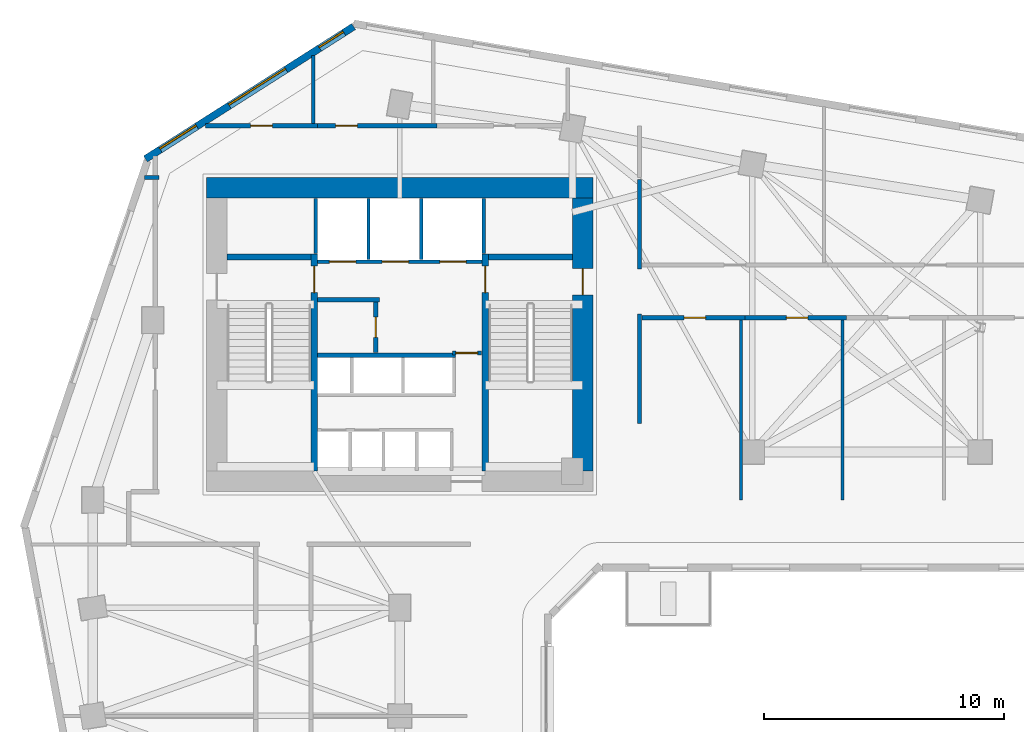
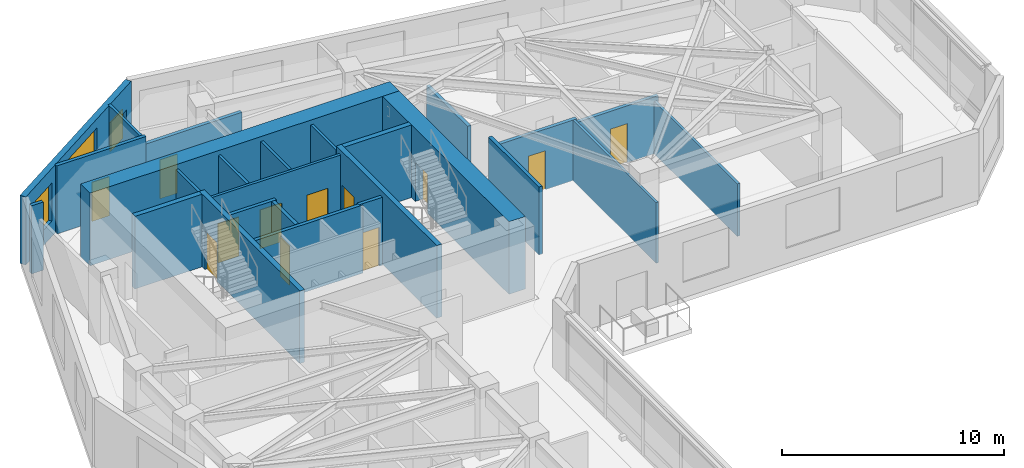
# One storey, part 6 of 10: 26 walls, 12 doors, 3 windows, 15 openings.
"""IFC4 building model written with IfcOpenShell, lengths in metres."""

from ifc_helpers import new_model, si_unit, direction, frame, frame_2d, origin, place, context, subcontext, project, spatial, rectangle, extrude, source, transform, mapped, material, layer, layer_set, type_object, element, fill, save


model = new_model("IFC4")

# Units and contexts
model_context = context("Model", 3, precision=1e-05, world=origin(), true_north=direction((0.0, 1.0)))
body_context = subcontext(model_context, "Body", "Model", "MODEL_VIEW")
ifc_project = project(units=[si_unit("LENGTHUNIT", "METRE"), si_unit("AREAUNIT", "SQUARE_METRE"), si_unit("VOLUMEUNIT", "CUBIC_METRE"), si_unit("PLANEANGLEUNIT", "RADIAN"), si_unit("MASSUNIT", "GRAM", prefix="KILO")], contexts=[model_context])

# Site, building, storey
site_placement = place(None, origin())
site = spatial("IfcSite", under=ifc_project, at=site_placement, CompositionType="ELEMENT")
building_placement = place(site_placement, origin())
building = spatial("IfcBuilding", under=site, at=building_placement, Name="Calvemar Wedge Station Tower", CompositionType="ELEMENT")
storey_placement = place(building_placement, frame((0.0, 0.0, 87.0)))
storey = spatial("IfcBuildingStorey", under=building, at=storey_placement, Name="L21", CompositionType="ELEMENT", Elevation=87.0)

# Wall, opening, door
ifc_material_1 = material(Name="Concrete C50", Category="concrete")
ifc_layer_1 = layer(ifc_material_1, 0.260009765625)
ifc_layer_set_1 = layer_set([ifc_layer_1], Name="Concrete C50")
wall_type_1 = type_object("IfcWallType", Name="SW-CORE-260", PredefinedType="SHEAR", material=ifc_layer_set_1)
wall_1_placement = place(storey_placement, frame((20.22998046875, 34.199951171875, 0.0), z_axis=(0.0, 0.0, 1.0), x_axis=(0.0, 1.0, 0.0)))
wall_1 = element("IfcWall", 1, at=wall_1_placement, inside=storey, type_object=wall_type_1, Name="Storey L21 Core Shear Wall SPINE-W", PredefinedType="SHEAR", context=body_context, shape_type="SweptSolid", body=[
    extrude(rectangle(XDim=9.06005859375, YDim=0.260009765625, at=frame_2d((4.530029296875, 0.0))), origin(), (0.0, 0.0, 1.0), 4.0),
])
shared_shape_1 = source(origin(), body_context, "Body", "SweptSolid", [
    extrude(rectangle(XDim=1.10009765625, YDim=2.14990234375, at=frame_2d((0.550048828125, 1.074951171875))), frame((0.0, 0.14013671875, 0.0), z_axis=(0.0, -1.0, 0.0), x_axis=(1.0, 0.0, 0.0)), (0.0, 0.0, 1.0), 0.280029296875),
])
opening_1_placement = place(wall_1_placement, frame((7.449951171875, 0.0, 0.0)))
opening_1 = element("IfcOpeningElement", 2, at=opening_1_placement, cuts=wall_1, Name="Opening FD-90", PredefinedType="OPENING", context=body_context, shape_type="MappedRepresentation", body=[
    mapped(shared_shape_1, transform((0.0, 0.0, 0.0), scale=1.0)),
])
ifc_material_2 = material(Name="Galvanized fire-rated steel door leaf P-90", Category="steel")
door_type_1 = type_object("IfcDoorType", Name="DR-FD90-1100", OperationType="NOTDEFINED", PredefinedType="DOOR", material=ifc_material_2)
shared_shape_2 = source(origin(), body_context, "Body", "SweptSolid", [
    extrude(rectangle(XDim=1.10009765625, YDim=2.14990234375, at=frame_2d((0.550048828125, 1.074951171875))), frame((0.0, 0.02490234375, 0.0), z_axis=(0.0, -1.0, 0.0), x_axis=(1.0, 0.0, 0.0)), (0.0, 0.0, 1.0), 0.050048828125),
])
door_1_placement = place(opening_1_placement, origin())
door_1 = element("IfcDoor", 3, at=door_1_placement, inside=storey, type_object=door_type_1, Name="L21 FF Lobby to Stair ST-C1 Door", OperationType="SINGLE_SWING_LEFT", OverallHeight=2.14990234375, OverallWidth=1.10009765625, PredefinedType="DOOR", context=body_context, shape_type="MappedRepresentation", body=[
    mapped(shared_shape_2, transform((0.0, 0.0, 0.0), scale=1.0)),
])
fill(opening_1, door_1)

wall_2_placement = place(storey_placement, frame((27.3701171875, 34.199951171875, 0.0), z_axis=(0.0, 0.0, 1.0), x_axis=(0.0, 1.0, 0.0)))
wall_2 = element("IfcWall", 4, at=wall_2_placement, inside=storey, type_object=wall_type_1, Name="Storey L21 Core Shear Wall SPINE-E", PredefinedType="SHEAR", context=body_context, shape_type="SweptSolid", body=[
    extrude(rectangle(XDim=9.06005859375, YDim=0.260009765625, at=frame_2d((4.530029296875, 0.0))), origin(), (0.0, 0.0, 1.0), 4.0),
])
opening_2_placement = place(wall_2_placement, frame((7.449951171875, 0.0, 0.0)))
opening_2 = element("IfcOpeningElement", 5, at=opening_2_placement, cuts=wall_2, Name="Opening FD-90", PredefinedType="OPENING", context=body_context, shape_type="MappedRepresentation", body=[
    mapped(shared_shape_1, transform((0.0, 0.0, 0.0), scale=1.0)),
])
door_2_placement = place(opening_2_placement, origin())
door_2 = element("IfcDoor", 6, at=door_2_placement, inside=storey, type_object=door_type_1, Name="L21 FF Lobby to Stair ST-C2 Door", OperationType="SINGLE_SWING_RIGHT", OverallHeight=2.14990234375, OverallWidth=1.10009765625, PredefinedType="DOOR", context=body_context, shape_type="MappedRepresentation", body=[
    mapped(shared_shape_2, transform((0.0, 0.0, 0.0), scale=1.0)),
])
fill(opening_2, door_2)

# Walls
for number, where, z_axis, x_axis, name in (
    (7, (16.60009765625, 43.1298828125, 0.0), (0.0, 0.0, 1.0), (1.0, 0.0, 0.0), "Storey L21 Core Shear Wall STC1-N"),
    (8, (27.5, 43.1298828125, 0.0), (0.0, 0.0, 1.0), (1.0, 0.0, 0.0), "Storey L21 Core Shear Wall STC2-N"),
):
    element("IfcWall", number, at=place(storey_placement, frame(where, z_axis=z_axis, x_axis=x_axis)), inside=storey, type_object=wall_type_1, Name=name, PredefinedType="SHEAR", context=body_context, shape_type="SweptSolid", body=[
        extrude(rectangle(XDim=3.5, YDim=0.260009765625, at=frame_2d((1.75, 0.0))), origin(), (0.0, 0.0, 1.0), 4.0),
    ])
ifc_material_3 = material(Name="Concrete C80", Category="concrete")
ifc_layer_2 = layer(ifc_material_3, 0.85009765625)
ifc_layer_set_2 = layer_set([ifc_layer_2], Name="Concrete C80")
wall_type_2 = type_object("IfcWallType", Name="SW-CORE-850", PredefinedType="SHEAR", material=ifc_layer_set_2)
wall_3_placement = place(storey_placement, frame((15.75, 46.02490234375, 0.0), z_axis=(0.0, 0.0, 1.0), x_axis=(1.0, 0.0, 0.0)))
element("IfcWall", 9, at=wall_3_placement, inside=storey, type_object=wall_type_2, Name="Storey L21 Core Shear Wall N", PredefinedType="SHEAR", context=body_context, shape_type="SweptSolid", body=[
    extrude(rectangle(XDim=16.10009765625, YDim=0.85009765625, at=frame_2d((8.050048828125, 0.0))), origin(), (0.0, 0.0, 1.0), 4.0),
])

# Wall, opening, door
wall_4_placement = place(storey_placement, frame((31.425048828125, 34.199951171875, 0.0), z_axis=(0.0, 0.0, 1.0), x_axis=(0.0, 1.0, 0.0)))
wall_4 = element("IfcWall", 10, at=wall_4_placement, inside=storey, type_object=wall_type_2, Name="Storey L21 Core Shear Wall E", PredefinedType="SHEAR", context=body_context, shape_type="SweptSolid", body=[
    extrude(rectangle(XDim=11.400146484375, YDim=0.85009765625, at=frame_2d((5.7001953125, 0.0))), origin(), (0.0, 0.0, 1.0), 4.0),
])
shared_shape_3 = source(origin(), body_context, "Body", "SweptSolid", [
    extrude(rectangle(XDim=1.10009765625, YDim=2.14990234375, at=frame_2d((0.550048828125, 1.074951171875))), frame((0.0, 0.43505859375, 0.0), z_axis=(0.0, -1.0, 0.0), x_axis=(1.0, 0.0, 0.0)), (0.0, 0.0, 1.0), 0.8701171875),
])
opening_3_placement = place(wall_4_placement, frame((7.35009765625, 0.0, 0.0)))
opening_3 = element("IfcOpeningElement", 11, at=opening_3_placement, cuts=wall_4, Name="Opening FD-90", PredefinedType="OPENING", context=body_context, shape_type="MappedRepresentation", body=[
    mapped(shared_shape_3, transform((0.0, 0.0, 0.0), scale=1.0)),
])
door_3_placement = place(opening_3_placement, origin())
door_3 = element("IfcDoor", 12, at=door_3_placement, inside=storey, type_object=door_type_1, Name="L21 East Corridor to Exit Stair ST-C2 Door", OperationType="SINGLE_SWING_RIGHT", OverallHeight=2.14990234375, OverallWidth=1.10009765625, PredefinedType="DOOR", context=body_context, shape_type="MappedRepresentation", body=[
    mapped(shared_shape_2, transform((0.0, 0.0, 0.0), scale=1.0)),
])
fill(opening_3, door_3)

# Wall
ifc_material_4 = material(Name="Double-stud fire-rated corridor partition")
ifc_layer_3 = layer(ifc_material_4, 0.179931640625)
ifc_layer_set_3 = layer_set([ifc_layer_3], Name="Double-stud fire-rated corridor partition")
wall_type_3 = type_object("IfcWallType", Name="W-CORR-180", PredefinedType="PARTITIONING", material=ifc_layer_set_3)
wall_5_placement = place(storey_placement, frame((22.9599609375, 41.35009765625, 0.0), z_axis=(0.0, 0.0, 1.0), x_axis=(-1.0, 0.0, 0.0)))
element("IfcWall", 13, at=wall_5_placement, inside=storey, type_object=wall_type_3, Name="Storey L21 Interior Partition WL-L21-001", PredefinedType="PARTITIONING", context=body_context, shape_type="SweptSolid", body=[
    extrude(rectangle(XDim=2.580078125, YDim=0.179931640625, at=frame_2d((1.2900390625, 0.0))), origin(), (0.0, 0.0, 1.0), 3.75),
])

# Wall, opening, door
wall_6_placement = place(storey_placement, frame((22.800048828125, 41.256103515625, 0.0), z_axis=(0.0, 0.0, 1.0), x_axis=(0.0, -1.0, 0.0)))
wall_6 = element("IfcWall", 14, at=wall_6_placement, inside=storey, type_object=wall_type_3, Name="Storey L21 Interior Partition WL-L21-002", PredefinedType="PARTITIONING", context=body_context, shape_type="SweptSolid", body=[
    extrude(rectangle(XDim=2.106201171875, YDim=0.179931640625, at=frame_2d((1.05322265625, 0.0))), origin(), (0.0, 0.0, 1.0), 3.75),
])
shared_shape_4 = source(origin(), body_context, "Body", "SweptSolid", [
    extrude(rectangle(XDim=0.85009765625, YDim=2.14990234375, at=frame_2d((0.425048828125, 1.074951171875))), frame((0.0, 0.10009765625, 0.0), z_axis=(0.0, -1.0, 0.0), x_axis=(1.0, 0.0, 0.0)), (0.0, 0.0, 1.0), 0.199951171875),
])
opening_4_placement = place(wall_6_placement, frame((0.6279296875, 0.0, 0.0)))
opening_4 = element("IfcOpeningElement", 15, at=opening_4_placement, cuts=wall_6, Name="Opening FD-60S", PredefinedType="OPENING", context=body_context, shape_type="MappedRepresentation", body=[
    mapped(shared_shape_4, transform((0.0, 0.0, 0.0), scale=1.0)),
])
ifc_material_5 = material(Name="Fire-rated steel and hardwood service door EI 60", Category="steel")
door_type_2 = type_object("IfcDoorType", Name="DR-CORE-FD60-850", OperationType="NOTDEFINED", PredefinedType="DOOR", material=ifc_material_5)
shared_shape_5 = source(origin(), body_context, "Body", "SweptSolid", [
    extrude(rectangle(XDim=0.85009765625, YDim=2.14990234375, at=frame_2d((0.425048828125, 1.074951171875))), frame((0.0, 0.02490234375, 0.0), z_axis=(0.0, -1.0, 0.0), x_axis=(1.0, 0.0, 0.0)), (0.0, 0.0, 1.0), 0.050048828125),
])
door_4_placement = place(opening_4_placement, origin())
door_4 = element("IfcDoor", 16, at=door_4_placement, inside=storey, type_object=door_type_2, Name="L21 Core Electrical Switch Room Door", OperationType="SINGLE_SWING_LEFT", OverallHeight=2.14990234375, OverallWidth=0.85009765625, PredefinedType="DOOR", context=body_context, shape_type="MappedRepresentation", body=[
    mapped(shared_shape_5, transform((0.0, 0.0, 0.0), scale=1.0)),
])
fill(opening_4, door_4)

wall_7_placement = place(storey_placement, frame((27.199951171875, 39.1298828125, 0.0), z_axis=(0.0, 0.0, 1.0), x_axis=(-1.0, 0.0, 0.0)))
wall_7 = element("IfcWall", 17, at=wall_7_placement, inside=storey, type_object=wall_type_3, Name="Storey L21 Interior Partition WL-L21-003", PredefinedType="PARTITIONING", context=body_context, shape_type="SweptSolid", body=[
    extrude(rectangle(XDim=1.2099609375, YDim=0.179931640625, at=frame_2d((0.60498046875, 0.0))), origin(), (0.0, 0.0, 1.0), 3.75),
])
shared_shape_6 = source(origin(), body_context, "Body", "SweptSolid", [
    extrude(rectangle(XDim=0.89990234375, YDim=2.14990234375, at=frame_2d((0.449951171875, 1.074951171875))), frame((0.0, 0.10009765625, 0.0), z_axis=(0.0, -1.0, 0.0), x_axis=(1.0, 0.0, 0.0)), (0.0, 0.0, 1.0), 0.199951171875),
])
opening_5_placement = place(wall_7_placement, frame((0.155029296875, 0.0, 0.0)))
opening_5 = element("IfcOpeningElement", 18, at=opening_5_placement, cuts=wall_7, Name="Opening FD-60", PredefinedType="OPENING", context=body_context, shape_type="MappedRepresentation", body=[
    mapped(shared_shape_6, transform((0.0, 0.0, 0.0), scale=1.0)),
])
ifc_material_6 = material(Name="Fire-rated acoustic timber-core entrance door EI 60", Category="wood")
door_type_3 = type_object("IfcDoorType", Name="DR-FD60-900", OperationType="NOTDEFINED", PredefinedType="DOOR", material=ifc_material_6)
shared_shape_7 = source(origin(), body_context, "Body", "SweptSolid", [
    extrude(rectangle(XDim=0.89990234375, YDim=2.14990234375, at=frame_2d((0.449951171875, 1.074951171875))), frame((0.0, 0.02490234375, 0.0), z_axis=(0.0, -1.0, 0.0), x_axis=(1.0, 0.0, 0.0)), (0.0, 0.0, 1.0), 0.050048828125),
])
door_5_placement = place(opening_5_placement, origin())
door_5 = element("IfcDoor", 19, at=door_5_placement, inside=storey, type_object=door_type_3, Name="L21 Core Service Lobby Door", OperationType="SINGLE_SWING_RIGHT", OverallHeight=2.14990234375, OverallWidth=0.89990234375, PredefinedType="DOOR", context=body_context, shape_type="MappedRepresentation", body=[
    mapped(shared_shape_7, transform((0.0, 0.0, 0.0), scale=1.0)),
])
fill(opening_5, door_5)

# Wall
wall_8_placement = place(storey_placement, frame((13.760009765625, 46.449951171875, 0.0), z_axis=(0.0, 0.0, 1.0), x_axis=(-1.0, 0.0, 0.0)))
element("IfcWall", 20, at=wall_8_placement, inside=storey, type_object=wall_type_3, Name="Storey L21 Interior Partition WL-L21-009", PredefinedType="PARTITIONING", context=body_context, shape_type="SweptSolid", body=[
    extrude(rectangle(XDim=0.60107421875, YDim=0.179931640625, at=frame_2d((0.300537109375, 0.0))), origin(), (0.0, 0.0, 1.0), 3.75),
])

# Wall, opening, door
wall_9_placement = place(storey_placement, frame((15.709716796875, 48.60009765625, 0.0), z_axis=(0.0, 0.0, 1.0), x_axis=(1.0, 0.0, 0.0)))
wall_9 = element("IfcWall", 21, at=wall_9_placement, inside=storey, type_object=wall_type_3, Name="Storey L21 Interior Partition WL-L21-010", PredefinedType="PARTITIONING", context=body_context, shape_type="SweptSolid", body=[
    extrude(rectangle(XDim=4.650390625, YDim=0.179931640625, at=frame_2d((2.3251953125, 0.0))), origin(), (0.0, 0.0, 1.0), 3.75),
])
opening_6_placement = place(wall_9_placement, frame((1.875, 0.0, 0.0)))
opening_6 = element("IfcOpeningElement", 22, at=opening_6_placement, cuts=wall_9, Name="Opening D-01", PredefinedType="OPENING", context=body_context, shape_type="MappedRepresentation", body=[
    mapped(shared_shape_6, transform((0.0, 0.0, 0.0), scale=1.0)),
])
ifc_material_7 = material(Name="Architectural hardwood acoustic swing door", Category="wood")
door_type_4 = type_object("IfcDoorType", Name="DR-INT-900", OperationType="NOTDEFINED", PredefinedType="DOOR", material=ifc_material_7)
shared_shape_8 = source(origin(), body_context, "Body", "SweptSolid", [
    extrude(rectangle(XDim=0.89990234375, YDim=2.14990234375, at=frame_2d((0.449951171875, 1.074951171875))), frame((0.0, 0.02490234375, 0.0), z_axis=(0.0, -1.0, 0.0), x_axis=(1.0, 0.0, 0.0)), (0.0, 0.0, 1.0), 0.050048828125),
])
door_6_placement = place(opening_6_placement, origin())
door_6 = element("IfcDoor", 23, at=door_6_placement, inside=storey, type_object=door_type_4, Name="L21 Male Toilet Door", OperationType="SINGLE_SWING_RIGHT", OverallHeight=2.14990234375, OverallWidth=0.89990234375, PredefinedType="DOOR", context=body_context, shape_type="MappedRepresentation", body=[
    mapped(shared_shape_8, transform((0.0, 0.0, 0.0), scale=1.0)),
])
fill(opening_6, door_6)

wall_10_placement = place(storey_placement, frame((20.362060546875, 48.60009765625, 0.0), z_axis=(0.0, 0.0, 1.0), x_axis=(1.0, 0.0, 0.0)))
wall_10 = element("IfcWall", 24, at=wall_10_placement, inside=storey, type_object=wall_type_3, Name="Storey L21 Interior Partition WL-L21-011", PredefinedType="PARTITIONING", context=body_context, shape_type="SweptSolid", body=[
    extrude(rectangle(XDim=4.998046875, YDim=0.179931640625, at=frame_2d((2.4990234375, 0.0))), origin(), (0.0, 0.0, 1.0), 3.3349609375),
])
opening_7_placement = place(wall_10_placement, frame((0.76806640625, 0.0, 0.0)))
opening_7 = element("IfcOpeningElement", 25, at=opening_7_placement, cuts=wall_10, Name="Opening D-01", PredefinedType="OPENING", context=body_context, shape_type="MappedRepresentation", body=[
    mapped(shared_shape_6, transform((0.0, 0.0, 0.0), scale=1.0)),
])
door_7_placement = place(opening_7_placement, origin())
door_7 = element("IfcDoor", 26, at=door_7_placement, inside=storey, type_object=door_type_4, Name="L21 Co-Working Studio Door", OperationType="SINGLE_SWING_LEFT", OverallHeight=2.14990234375, OverallWidth=0.89990234375, PredefinedType="DOOR", context=body_context, shape_type="MappedRepresentation", body=[
    mapped(shared_shape_8, transform((0.0, 0.0, 0.0), scale=1.0)),
])
fill(opening_7, door_7)

# Walls
wall_11_placement = place(storey_placement, frame((33.800048828125, 40.760009765625, 0.0), z_axis=(0.0, 0.0, 1.0), x_axis=(0.0, -1.0, 0.0)))
element("IfcWall", 27, at=wall_11_placement, inside=storey, type_object=wall_type_3, Name="Storey L21 Interior Partition WL-L21-014", PredefinedType="PARTITIONING", context=body_context, shape_type="SweptSolid", body=[
    extrude(rectangle(XDim=4.56005859375, YDim=0.179931640625, at=frame_2d((2.280029296875, 0.0))), origin(), (0.0, 0.0, 1.0), 3.75),
])
wall_12_placement = place(storey_placement, frame((33.800048828125, 46.35595703125, 0.0), z_axis=(0.0, 0.0, 1.0), x_axis=(0.0, -1.0, 0.0)))
element("IfcWall", 28, at=wall_12_placement, inside=storey, type_object=wall_type_3, Name="Storey L21 Interior Partition WL-L21-015", PredefinedType="PARTITIONING", context=body_context, shape_type="SweptSolid", body=[
    extrude(rectangle(XDim=3.716064453125, YDim=0.179931640625, at=frame_2d((1.85791015625, 0.0))), origin(), (0.0, 0.0, 1.0), 3.18798828125),
])

# Wall, opening, door
wall_13_placement = place(storey_placement, frame((38.194091796875, 40.60009765625, 0.0), z_axis=(0.0, 0.0, 1.0), x_axis=(-1.0, 0.0, 0.0)))
wall_13 = element("IfcWall", 29, at=wall_13_placement, inside=storey, type_object=wall_type_3, Name="Storey L21 Interior Partition WL-L21-019", PredefinedType="PARTITIONING", context=body_context, shape_type="SweptSolid", body=[
    extrude(rectangle(XDim=4.300048828125, YDim=0.179931640625, at=frame_2d((2.14990234375, 0.0))), origin(), (0.0, 0.0, 1.0), 3.3349609375),
])
opening_8_placement = place(wall_13_placement, frame((1.63818359375, 0.0, 0.0)))
opening_8 = element("IfcOpeningElement", 30, at=opening_8_placement, cuts=wall_13, Name="Opening D-01", PredefinedType="OPENING", context=body_context, shape_type="MappedRepresentation", body=[
    mapped(shared_shape_6, transform((0.0, 0.0, 0.0), scale=1.0)),
])
door_8_placement = place(opening_8_placement, origin())
door_8 = element("IfcDoor", 31, at=door_8_placement, inside=storey, type_object=door_type_4, Name="L21 Co-Working Studio Door", OperationType="SINGLE_SWING_LEFT", OverallHeight=2.14990234375, OverallWidth=0.89990234375, PredefinedType="DOOR", context=body_context, shape_type="MappedRepresentation", body=[
    mapped(shared_shape_8, transform((0.0, 0.0, 0.0), scale=1.0)),
])
fill(opening_8, door_8)

wall_14_placement = place(storey_placement, frame((42.427001953125, 40.60009765625, 0.0), z_axis=(0.0, 0.0, 1.0), x_axis=(-1.0, 0.0, 0.0)))
wall_14 = element("IfcWall", 32, at=wall_14_placement, inside=storey, type_object=wall_type_3, Name="Storey L21 Interior Partition WL-L21-020", PredefinedType="PARTITIONING", context=body_context, shape_type="SweptSolid", body=[
    extrude(rectangle(XDim=4.23095703125, YDim=0.179931640625, at=frame_2d((2.115478515625, 0.0))), origin(), (0.0, 0.0, 1.0), 3.125),
])
opening_9_placement = place(wall_14_placement, frame((1.605224609375, 0.0, 0.0)))
opening_9 = element("IfcOpeningElement", 33, at=opening_9_placement, cuts=wall_14, Name="Opening D-01", PredefinedType="OPENING", context=body_context, shape_type="MappedRepresentation", body=[
    mapped(shared_shape_6, transform((0.0, 0.0, 0.0), scale=1.0)),
])
door_9_placement = place(opening_9_placement, origin())
door_9 = element("IfcDoor", 34, at=door_9_placement, inside=storey, type_object=door_type_4, Name="L21 Co-Working Studio Door", OperationType="SINGLE_SWING_RIGHT", OverallHeight=2.14990234375, OverallWidth=0.89990234375, PredefinedType="DOOR", context=body_context, shape_type="MappedRepresentation", body=[
    mapped(shared_shape_8, transform((0.0, 0.0, 0.0), scale=1.0)),
])
fill(opening_9, door_9)

# Wall, openings, windows
ifc_material_8 = material(Name="Precast concrete C45", Category="concrete")
ifc_layer_4 = layer(ifc_material_8, 0.300048828125)
ifc_layer_set_4 = layer_set([ifc_layer_4], Name="Precast concrete C45")
wall_type_4 = type_object("IfcWallType", Name="W-EXT-GFRC-300", PredefinedType="SOLIDWALL", material=ifc_layer_set_4)
wall_15_placement = place(storey_placement, frame((21.874755859375, 52.742431640625, 0.0), z_axis=(0.0, 0.0, 1.0), x_axis=(-0.843662465249, -0.536873956092, 0.0)))
wall_15 = element("IfcWall", 35, at=wall_15_placement, inside=storey, type_object=wall_type_4, Name="Storey L21 Bronze GFRC Exterior Wall 11", PredefinedType="SOLIDWALL", context=body_context, shape_type="SweptSolid", body=[
    extrude(rectangle(XDim=10.283935546875, YDim=0.300048828125, at=frame_2d((5.14208984375, 0.0))), origin(), (0.0, 0.0, 1.0), 3.75),
])
shared_shape_9 = source(origin(), body_context, "Body", "SweptSolid", [
    extrude(rectangle(XDim=1.199951171875, YDim=1.60009765625, at=frame_2d((0.60009765625, 0.800048828125))), frame((0.0, 0.16015625, 0.0), z_axis=(0.0, -1.0, 0.0), x_axis=(1.0, 0.0, 0.0)), (0.0, 0.0, 1.0), 0.320068359375),
])
opening_10_placement = place(wall_15_placement, frame((0.47900390625, 0.0, 0.85009765625)))
opening_10 = element("IfcOpeningElement", 36, at=opening_10_placement, cuts=wall_15, Name="Opening W5", PredefinedType="OPENING", context=body_context, shape_type="MappedRepresentation", body=[
    mapped(shared_shape_9, transform((0.0, 0.0, 0.0), scale=1.0)),
])
shared_shape_10 = source(origin(), body_context, "Body", "SweptSolid", [
    extrude(rectangle(XDim=2.800048828125, YDim=2.39990234375, at=frame_2d((1.39990234375, 1.199951171875))), frame((0.0, 0.16015625, 0.0), z_axis=(0.0, -1.0, 0.0), x_axis=(1.0, 0.0, 0.0)), (0.0, 0.0, 1.0), 0.320068359375),
])
opening_11_placement = place(wall_15_placement, frame((3.342041015625, 0.0, 0.85009765625)))
opening_11 = element("IfcOpeningElement", 37, at=opening_11_placement, cuts=wall_15, Name="Opening W6", PredefinedType="OPENING", context=body_context, shape_type="MappedRepresentation", body=[
    mapped(shared_shape_10, transform((0.0, 0.0, 0.0), scale=1.0)),
])
shared_shape_11 = source(origin(), body_context, "Body", "SweptSolid", [
    extrude(rectangle(XDim=1.800048828125, YDim=2.10009765625, at=frame_2d((0.89990234375, 1.050048828125))), frame((0.0, 0.16015625, 0.0), z_axis=(0.0, -1.0, 0.0), x_axis=(1.0, 0.0, 0.0)), (0.0, 0.0, 1.0), 0.320068359375),
])
opening_12_placement = place(wall_15_placement, frame((7.7529296875, 0.0, 0.85009765625)))
opening_12 = element("IfcOpeningElement", 38, at=opening_12_placement, cuts=wall_15, Name="Opening W2", PredefinedType="OPENING", context=body_context, shape_type="MappedRepresentation", body=[
    mapped(shared_shape_11, transform((0.0, 0.0, 0.0), scale=1.0)),
])
ifc_material_9 = material(Name="Low-E laminated insulated glass", Category="glass")
window_type_1 = type_object("IfcWindowType", Name="WIN-EXT-2", PartitioningType="SINGLE_PANEL", PredefinedType="WINDOW", material=ifc_material_9)
shared_shape_12 = source(origin(), body_context, "Body", "SweptSolid", [
    extrude(rectangle(XDim=1.800048828125, YDim=2.10009765625, at=frame_2d((0.89990234375, 1.050048828125))), frame((0.0, -0.014892578125, 0.0), z_axis=(0.0, -1.0, 0.0), x_axis=(1.0, 0.0, 0.0)), (0.0, 0.0, 1.0), 0.06005859375),
])
window_1_placement = place(opening_12_placement, origin())
window_1 = element("IfcWindow", 39, at=window_1_placement, inside=storey, type_object=window_type_1, Name="Storey L21 Recessed Window 11.3", OverallHeight=2.10009765625, OverallWidth=1.800048828125, PartitioningType="SINGLE_PANEL", PredefinedType="WINDOW", context=body_context, shape_type="MappedRepresentation", body=[
    mapped(shared_shape_12, transform((0.0, 0.0, 0.0), scale=1.0)),
])
fill(opening_12, window_1)
window_type_2 = type_object("IfcWindowType", Name="WIN-EXT-6", PartitioningType="SINGLE_PANEL", PredefinedType="WINDOW", material=ifc_material_9)
shared_shape_13 = source(origin(), body_context, "Body", "SweptSolid", [
    extrude(rectangle(XDim=2.800048828125, YDim=2.39990234375, at=frame_2d((1.39990234375, 1.199951171875))), frame((0.0, -0.014892578125, 0.0), z_axis=(0.0, -1.0, 0.0), x_axis=(1.0, 0.0, 0.0)), (0.0, 0.0, 1.0), 0.06005859375),
])
window_2_placement = place(opening_11_placement, origin())
window_2 = element("IfcWindow", 40, at=window_2_placement, inside=storey, type_object=window_type_2, Name="Storey L21 Recessed Window 11.2", OverallHeight=2.39990234375, OverallWidth=2.800048828125, PartitioningType="SINGLE_PANEL", PredefinedType="WINDOW", context=body_context, shape_type="MappedRepresentation", body=[
    mapped(shared_shape_13, transform((0.0, 0.0, 0.0), scale=1.0)),
])
fill(opening_11, window_2)
window_type_3 = type_object("IfcWindowType", Name="WIN-EXT-5", PartitioningType="SINGLE_PANEL", PredefinedType="WINDOW", material=ifc_material_9)
shared_shape_14 = source(origin(), body_context, "Body", "SweptSolid", [
    extrude(rectangle(XDim=1.199951171875, YDim=1.60009765625, at=frame_2d((0.60009765625, 0.800048828125))), frame((0.0, -0.014892578125, 0.0), z_axis=(0.0, -1.0, 0.0), x_axis=(1.0, 0.0, 0.0)), (0.0, 0.0, 1.0), 0.06005859375),
])
window_3_placement = place(opening_10_placement, origin())
window_3 = element("IfcWindow", 41, at=window_3_placement, inside=storey, type_object=window_type_3, Name="Storey L21 Recessed Window 11.1", OverallHeight=1.60009765625, OverallWidth=1.199951171875, PartitioningType="SINGLE_PANEL", PredefinedType="WINDOW", context=body_context, shape_type="MappedRepresentation", body=[
    mapped(shared_shape_14, transform((0.0, 0.0, 0.0), scale=1.0)),
])
fill(opening_10, window_3)

# Wall, openings, doors
ifc_material_10 = material(Name="Reinforced concrete blockwork lift shaft wall", Category="masonry")
ifc_layer_5 = layer(ifc_material_10, 0.139892578125)
ifc_layer_set_5 = layer_set([ifc_layer_5], Name="Reinforced concrete blockwork lift shaft wall")
wall_type_5 = type_object("IfcWallType", Name="W-LIFT-160", PredefinedType="SOLIDWALL", material=ifc_layer_set_5)
wall_16_placement = place(storey_placement, frame((20.3701171875, 42.929931640625, 0.0), z_axis=(0.0, 0.0, 1.0), x_axis=(1.0, 0.0, 0.0)))
wall_16 = element("IfcWall", 42, at=wall_16_placement, inside=storey, type_object=wall_type_5, Name="Storey L21 Firefighting and Service Lift Shaft Front Wall", PredefinedType="SOLIDWALL", context=body_context, shape_type="SweptSolid", body=[
    extrude(rectangle(XDim=6.85986328125, YDim=0.139892578125, at=frame_2d((3.429931640625, 0.0))), origin(), (0.0, 0.0, 1.0), 3.75),
])
shared_shape_15 = source(origin(), body_context, "Body", "SweptSolid", [
    extrude(rectangle(XDim=1.10009765625, YDim=2.14990234375, at=frame_2d((0.550048828125, 1.074951171875))), frame((0.0, 0.080078125, 0.0), z_axis=(0.0, -1.0, 0.0), x_axis=(1.0, 0.0, 0.0)), (0.0, 0.0, 1.0), 0.159912109375),
])
opening_13_placement = place(wall_16_placement, frame((0.5, 0.0, 0.0)))
opening_13 = element("IfcOpeningElement", 43, at=opening_13_placement, cuts=wall_16, Name="Opening LD-FF", PredefinedType="OPENING", context=body_context, shape_type="MappedRepresentation", body=[
    mapped(shared_shape_15, transform((0.0, 0.0, 0.0), scale=1.0)),
])
opening_14_placement = place(wall_16_placement, frame((2.699951171875, 0.0, 0.0)))
opening_14 = element("IfcOpeningElement", 44, at=opening_14_placement, cuts=wall_16, Name="Opening LD-FF", PredefinedType="OPENING", context=body_context, shape_type="MappedRepresentation", body=[
    mapped(shared_shape_15, transform((0.0, 0.0, 0.0), scale=1.0)),
])
opening_15_placement = place(wall_16_placement, frame((5.10009765625, 0.0, 0.0)))
opening_15 = element("IfcOpeningElement", 45, at=opening_15_placement, cuts=wall_16, Name="Opening LD-STN", PredefinedType="OPENING", context=body_context, shape_type="MappedRepresentation", body=[
    mapped(shared_shape_15, transform((0.0, 0.0, 0.0), scale=1.0)),
])
ifc_material_11 = material(Name="Stainless steel firefighting lift sliding landing door", Category="steel")
door_type_5 = type_object("IfcDoorType", Name="DR-LD-FF-1100", OperationType="SLIDING_TO_LEFT", PredefinedType="DOOR", material=ifc_material_11)
shared_shape_16 = source(origin(), body_context, "Body", "SweptSolid", [
    extrude(rectangle(XDim=1.10009765625, YDim=2.14990234375, at=frame_2d((0.550048828125, 1.074951171875))), frame((0.0, 0.02490234375, 0.0), z_axis=(0.0, -1.0, 0.0), x_axis=(1.0, 0.0, 0.0)), (0.0, 0.0, 1.0), 0.050048828125),
])
door_10_placement = place(opening_13_placement, origin())
door_10 = element("IfcDoor", 46, at=door_10_placement, inside=storey, type_object=door_type_5, Name="L21 Lift FF-01 Sliding Landing Door", OperationType="SLIDING_TO_LEFT", OverallHeight=2.14990234375, OverallWidth=1.10009765625, PredefinedType="DOOR", context=body_context, shape_type="MappedRepresentation", body=[
    mapped(shared_shape_16, transform((0.0, 0.0, 0.0), scale=1.0)),
])
fill(opening_13, door_10)
door_11_placement = place(opening_14_placement, origin())
door_11 = element("IfcDoor", 47, at=door_11_placement, inside=storey, type_object=door_type_5, Name="L21 Lift FF-02 Sliding Landing Door", OperationType="SLIDING_TO_RIGHT", OverallHeight=2.14990234375, OverallWidth=1.10009765625, PredefinedType="DOOR", context=body_context, shape_type="MappedRepresentation", body=[
    mapped(shared_shape_16, transform((0.0, 0.0, 0.0), scale=1.0)),
])
fill(opening_14, door_11)
ifc_material_12 = material(Name="Stainless steel transit lift sliding landing door", Category="steel")
door_type_6 = type_object("IfcDoorType", Name="DR-LD-PAX-1100", OperationType="SLIDING_TO_LEFT", PredefinedType="DOOR", material=ifc_material_12)
shared_shape_17 = source(origin(), body_context, "Body", "SweptSolid", [
    extrude(rectangle(XDim=1.10009765625, YDim=2.14990234375, at=frame_2d((0.550048828125, 1.074951171875))), frame((0.0, 0.02490234375, 0.0), z_axis=(0.0, -1.0, 0.0), x_axis=(1.0, 0.0, 0.0)), (0.0, 0.0, 1.0), 0.050048828125),
])
door_12_placement = place(opening_15_placement, origin())
door_12 = element("IfcDoor", 48, at=door_12_placement, inside=storey, type_object=door_type_6, Name="L21 Lift SV-01 Sliding Landing Door", OperationType="SLIDING_TO_LEFT", OverallHeight=2.14990234375, OverallWidth=1.10009765625, PredefinedType="DOOR", context=body_context, shape_type="MappedRepresentation", body=[
    mapped(shared_shape_17, transform((0.0, 0.0, 0.0), scale=1.0)),
])
fill(opening_15, door_12)

# Walls
for number, where, z_axis, x_axis, name in (
    (49, (20.2900390625, 43.280029296875, 0.0), (0.0, 0.0, 1.0), (0.0, 1.0, 0.0), "Storey L21 Firefighting Lift Shaft Enclosure Wall W"),
    (50, (27.31005859375, 43.280029296875, 0.0), (0.0, 0.0, 1.0), (0.0, 1.0, 0.0), "Storey L21 Firefighting Lift Shaft Enclosure Wall E"),
):
    element("IfcWall", number, at=place(storey_placement, frame(where, z_axis=z_axis, x_axis=x_axis)), inside=storey, type_object=wall_type_5, Name=name, PredefinedType="SOLIDWALL", context=body_context, shape_type="SweptSolid", body=[
        extrude(rectangle(XDim=2.300048828125, YDim=0.139892578125, at=frame_2d((1.14990234375, 0.0))), origin(), (0.0, 0.0, 1.0), 3.75),
    ])
for number, where, z_axis, x_axis, name in (
    (51, (22.5, 43.02001953125, 0.0), (0.0, 0.0, 1.0), (0.0, 1.0, 0.0), "Storey L21 Firefighting Lift Shaft Enclosure Wall D1"),
    (52, (24.699951171875, 43.02001953125, 0.0), (0.0, 0.0, 1.0), (0.0, 1.0, 0.0), "Storey L21 Firefighting Lift Shaft Enclosure Wall D2"),
):
    element("IfcWall", number, at=place(storey_placement, frame(where, z_axis=z_axis, x_axis=x_axis)), inside=storey, type_object=wall_type_5, Name=name, PredefinedType="SOLIDWALL", context=body_context, shape_type="SweptSolid", body=[
        extrude(rectangle(XDim=2.56005859375, YDim=0.139892578125, at=frame_2d((1.280029296875, 0.0))), origin(), (0.0, 0.0, 1.0), 3.75),
    ])
ifc_material_13 = material(Name="Insulated acoustic gypsum stud partition")
ifc_layer_6 = layer(ifc_material_13, 0.125)
ifc_layer_set_6 = layer_set([ifc_layer_6], Name="Insulated acoustic gypsum stud partition")
wall_type_6 = type_object("IfcWallType", Name="W-PART-125", PredefinedType="PARTITIONING", material=ifc_layer_set_6)
wall_17_placement = place(storey_placement, frame((38.033935546875, 40.506103515625, 0.0), z_axis=(0.0, 0.0, 1.0), x_axis=(0.0, -1.0, 0.0)))
element("IfcWall", 53, at=wall_17_placement, inside=storey, type_object=wall_type_6, Name="Storey L21 Interior Partition WL-L21-026", PredefinedType="PARTITIONING", context=body_context, shape_type="SweptSolid", body=[
    extrude(rectangle(XDim=7.506103515625, YDim=0.125, at=frame_2d((3.7529296875, 0.0))), origin(), (0.0, 0.0, 1.0), 3.3349609375),
])
wall_18_placement = place(storey_placement, frame((42.26708984375, 40.506103515625, 0.0), z_axis=(0.0, 0.0, 1.0), x_axis=(0.0, -1.0, 0.0)))
element("IfcWall", 54, at=wall_18_placement, inside=storey, type_object=wall_type_6, Name="Storey L21 Interior Partition WL-L21-027", PredefinedType="PARTITIONING", context=body_context, shape_type="SweptSolid", body=[
    extrude(rectangle(XDim=7.506103515625, YDim=0.125, at=frame_2d((3.7529296875, 0.0))), origin(), (0.0, 0.0, 1.0), 2.89208984375),
])
ifc_material_14 = material(Name="Concrete blockwork and fireboard shaft wall", Category="masonry")
ifc_layer_7 = layer(ifc_material_14, 0.199951171875)
ifc_layer_set_7 = layer_set([ifc_layer_7], Name="Concrete blockwork and fireboard shaft wall")
wall_type_7 = type_object("IfcWallType", Name="W-SHAFT-200", PredefinedType="SOLIDWALL", material=ifc_layer_set_7)
wall_19_placement = place(storey_placement, frame((20.3798828125, 39.0400390625, 0.0), z_axis=(0.0, 0.0, 1.0), x_axis=(1.0, 0.0, 0.0)))
element("IfcWall", 55, at=wall_19_placement, inside=storey, type_object=wall_type_7, Name="Storey L21 Upper Passenger Lift Bank Rear Shaft Wall", PredefinedType="SOLIDWALL", context=body_context, shape_type="SweptSolid", body=[
    extrude(rectangle(XDim=5.75, YDim=0.179931640625, at=frame_2d((2.875, 0.0))), origin(), (0.0, 0.0, 1.0), 3.75),
])
ifc_material_15 = material(Name="Moisture-resistant acoustic bathroom partition")
ifc_layer_8 = layer(ifc_material_15, 0.14990234375)
ifc_layer_set_8 = layer_set([ifc_layer_8], Name="Moisture-resistant acoustic bathroom partition")
wall_type_8 = type_object("IfcWallType", Name="W-WET-150", PredefinedType="PARTITIONING", material=ifc_layer_set_8)
wall_20_placement = place(storey_placement, frame((20.199951171875, 51.540283203125, 0.0), z_axis=(0.0, 0.0, 1.0), x_axis=(0.0, -1.0, 0.0)))
element("IfcWall", 56, at=wall_20_placement, inside=storey, type_object=wall_type_8, Name="Storey L21 Interior Partition WL-L21-017", PredefinedType="PARTITIONING", context=body_context, shape_type="SweptSolid", body=[
    extrude(rectangle(XDim=2.84619140625, YDim=0.14990234375, at=frame_2d((1.423095703125, 0.0))), origin(), (0.0, 0.0, 1.0), 3.75),
])

save(model, "model.ifc")
